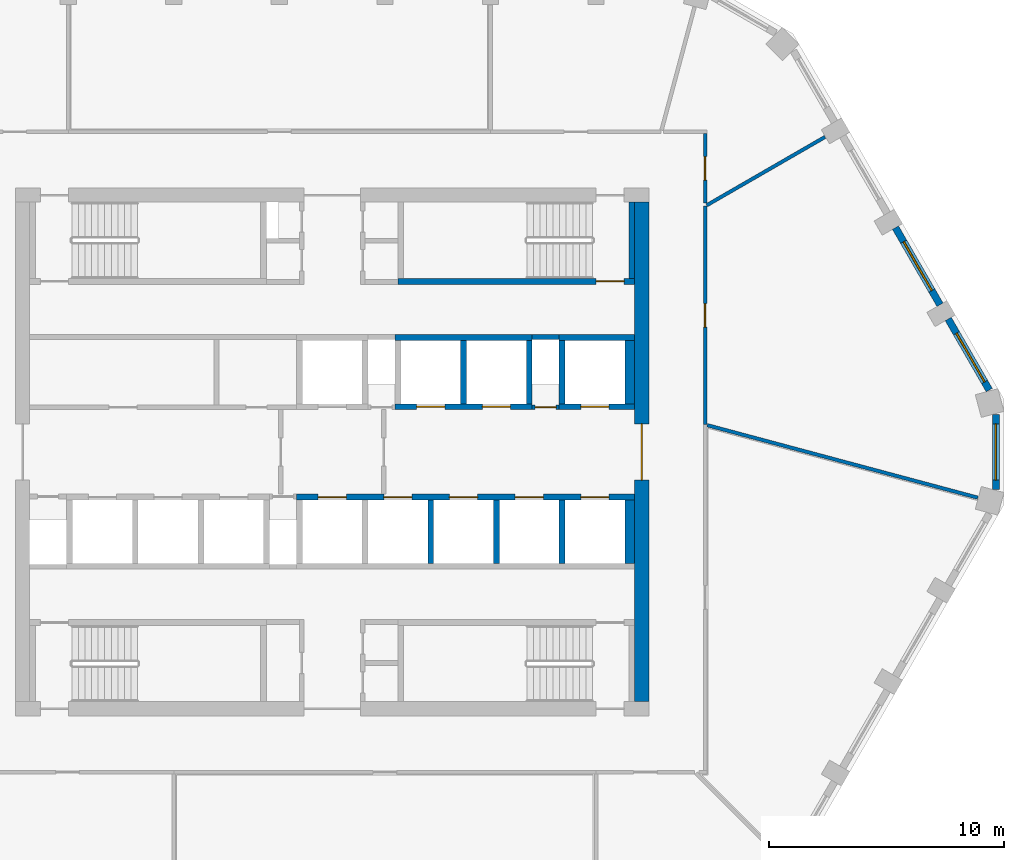
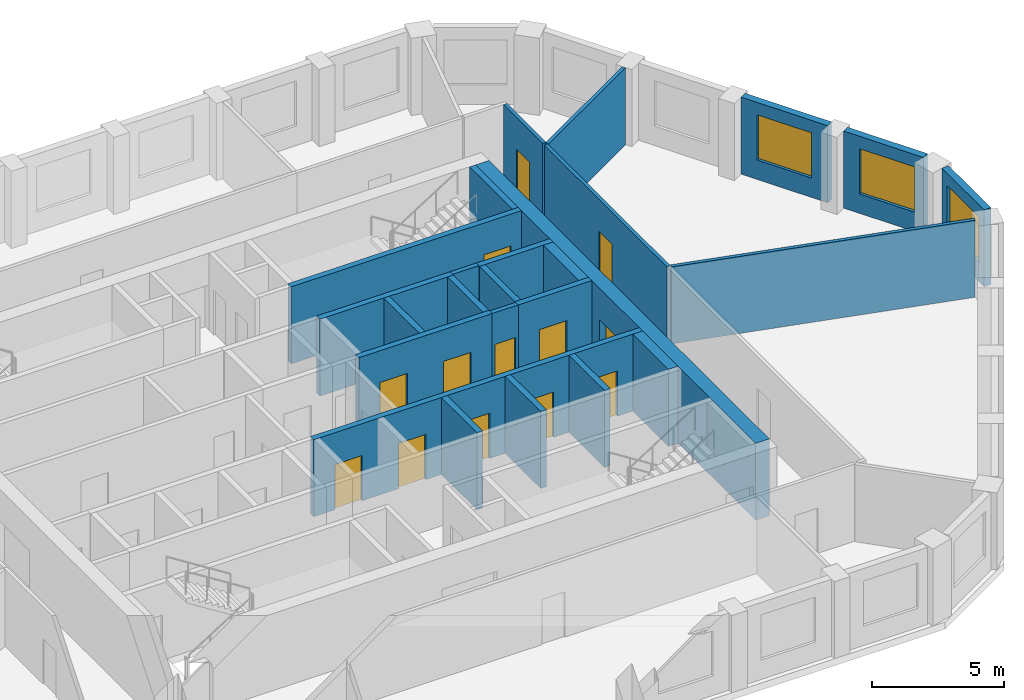
# One storey, part 5 of 10: 25 walls, 13 doors, 3 windows, 16 openings.
"""IFC4 building model written with IfcOpenShell, lengths in metres."""

from ifc_helpers import new_model, si_unit, direction, frame, frame_2d, origin, place, context, subcontext, project, spatial, polyline, rectangle, outline, extrude, material, layer, layer_set, type_object, element, fill, save


model = new_model("IFC4")

# Units and contexts
model_context = context("Model", 3, precision=1e-05, world=origin(), true_north=direction((0.0, 1.0)))
body_context = subcontext(model_context, "Body", "Model", "MODEL_VIEW")
ifc_project = project(units=[si_unit("LENGTHUNIT", "METRE"), si_unit("AREAUNIT", "SQUARE_METRE"), si_unit("VOLUMEUNIT", "CUBIC_METRE"), si_unit("PLANEANGLEUNIT", "RADIAN"), si_unit("MASSUNIT", "GRAM", prefix="KILO")], contexts=[model_context])

# Site, building, storey
site_placement = place(None, origin())
site = spatial("IfcSite", under=ifc_project, at=site_placement, CompositionType="ELEMENT")
building_placement = place(site_placement, origin())
building = spatial("IfcBuilding", under=site, at=building_placement, Name="Dhurran Vertical Campus", CompositionType="ELEMENT")
storey_placement = place(building_placement, frame((0.0, 0.0, 239.10009765625)))
storey = spatial("IfcBuildingStorey", under=building, at=storey_placement, Name="L59", CompositionType="ELEMENT", Elevation=239.10009765625)

# Wall, opening, window
ifc_material_1 = material(Name="Precast concrete C50/60", Category="concrete")
ifc_layer_1 = layer(ifc_material_1, 0.300048828125)
ifc_layer_set_1 = layer_set([ifc_layer_1], Name="Precast concrete C50/60")
wall_type_1 = type_object("IfcWallType", Name="Precast spandrel wall 300", PredefinedType="SOLIDWALL", material=ifc_layer_set_1)
wall_1_placement = place(storey_placement, frame((28.297119140625, -1.59814453125, 0.0), z_axis=(0.0, 0.0, 1.0), x_axis=(0.0, 1.0, 0.0)))
wall_1 = element("IfcWall", 1, at=wall_1_placement, inside=storey, type_object=wall_type_1, Name="EW1 L59.12", PredefinedType="SOLIDWALL", context=body_context, shape_type="SweptSolid", body=[
    extrude(rectangle(XDim=3.1962890625, YDim=0.300048828125, at=frame_2d((1.59814453125, 0.0))), origin(), (0.0, 0.0, 1.0), 3.574951171875),
])
opening_1_placement = place(wall_1_placement, frame((0.398193359375, 0.0, 0.89990234375)))
opening_1 = element("IfcOpeningElement", 2, at=opening_1_placement, cuts=wall_1, Name="Opening WT1", PredefinedType="OPENING", context=body_context, shape_type="SweptSolid", body=[
    extrude(rectangle(XDim=2.39990234375, YDim=2.10009765625, at=frame_2d((1.199951171875, 1.050048828125))), frame((0.0, 0.159912109375, 0.0), z_axis=(0.0, -1.0, 0.0), x_axis=(1.0, 0.0, 0.0)), (0.0, 0.0, 1.0), 0.320068359375),
])
ifc_material_2 = material(Name="Aluminium frame with solar-control glass", Category="aluminium")
window_type = type_object("IfcWindowType", Name="Punched window 2400 x 2100", PartitioningType="SINGLE_PANEL", PredefinedType="WINDOW", material=ifc_material_2)
window_1_placement = place(opening_1_placement, origin())
window_1 = element("IfcWindow", 3, at=window_1_placement, inside=storey, type_object=window_type, Name="WT1 L59.12", OverallHeight=2.10009765625, OverallWidth=2.39990234375, PartitioningType="SINGLE_PANEL", PredefinedType="WINDOW", context=body_context, shape_type="SweptSolid", body=[
    extrude(rectangle(XDim=2.39990234375, YDim=2.10009765625, at=frame_2d((1.199951171875, 1.050048828125))), frame((0.0, 0.030029296875, 0.0), z_axis=(0.0, -1.0, 0.0), x_axis=(1.0, 0.0, 0.0)), (0.0, 0.0, 1.0), 0.06005859375),
])
fill(opening_1, window_1)

wall_2_placement = place(storey_placement, frame((28.01806640625, 2.6396484375, 0.0), z_axis=(0.0, 0.0, 1.0), x_axis=(-0.499990325971, 0.866030989016, 0.0)))
wall_2 = element("IfcWall", 4, at=wall_2_placement, inside=storey, type_object=wall_type_1, Name="EW1 L59.13", PredefinedType="SOLIDWALL", context=body_context, shape_type="SweptSolid", body=[
    extrude(rectangle(XDim=3.49755859375, YDim=0.300048828125, at=frame_2d((1.748779296875, 0.0))), origin(), (0.0, 0.0, 1.0), 3.574951171875),
])
opening_2_placement = place(wall_2_placement, frame((0.398193359375, 0.0, 0.89990234375)))
opening_2 = element("IfcOpeningElement", 5, at=opening_2_placement, cuts=wall_2, Name="Opening WT1", PredefinedType="OPENING", context=body_context, shape_type="SweptSolid", body=[
    extrude(rectangle(XDim=2.39990234375, YDim=2.10009765625, at=frame_2d((1.199951171875, 1.050048828125))), frame((0.0, 0.159912109375, 0.0), z_axis=(0.0, -1.0, 0.0), x_axis=(1.0, 0.0, 0.0)), (0.0, 0.0, 1.0), 0.320068359375),
])
window_2_placement = place(opening_2_placement, origin())
window_2 = element("IfcWindow", 6, at=window_2_placement, inside=storey, type_object=window_type, Name="WT1 L59.13", OverallHeight=2.10009765625, OverallWidth=2.39990234375, PartitioningType="SINGLE_PANEL", PredefinedType="WINDOW", context=body_context, shape_type="SweptSolid", body=[
    extrude(rectangle(XDim=2.39990234375, YDim=2.10009765625, at=frame_2d((1.199951171875, 1.050048828125))), frame((0.0, 0.030029296875, 0.0), z_axis=(0.0, -1.0, 0.0), x_axis=(1.0, 0.0, 0.0)), (0.0, 0.0, 1.0), 0.06005859375),
])
fill(opening_2, window_2)

wall_3_placement = place(storey_placement, frame((25.918701171875, 6.275634765625, 0.0), z_axis=(0.0, 0.0, 1.0), x_axis=(-0.499982058975, 0.866035761792, 0.0)))
wall_3 = element("IfcWall", 7, at=wall_3_placement, inside=storey, type_object=wall_type_1, Name="EW1 L59.14", PredefinedType="SOLIDWALL", context=body_context, shape_type="SweptSolid", body=[
    extrude(rectangle(XDim=3.799072265625, YDim=0.300048828125, at=frame_2d((1.8994140625, 0.0))), origin(), (0.0, 0.0, 1.0), 3.574951171875),
])
opening_3_placement = place(wall_3_placement, frame((0.699462890625, 0.0, 0.89990234375)))
opening_3 = element("IfcOpeningElement", 8, at=opening_3_placement, cuts=wall_3, Name="Opening WT1", PredefinedType="OPENING", context=body_context, shape_type="SweptSolid", body=[
    extrude(rectangle(XDim=2.39990234375, YDim=2.10009765625, at=frame_2d((1.199951171875, 1.050048828125))), frame((0.0, 0.159912109375, 0.0), z_axis=(0.0, -1.0, 0.0), x_axis=(1.0, 0.0, 0.0)), (0.0, 0.0, 1.0), 0.320068359375),
])
window_3_placement = place(opening_3_placement, origin())
window_3 = element("IfcWindow", 9, at=window_3_placement, inside=storey, type_object=window_type, Name="WT1 L59.14", OverallHeight=2.10009765625, OverallWidth=2.39990234375, PartitioningType="SINGLE_PANEL", PredefinedType="WINDOW", context=body_context, shape_type="SweptSolid", body=[
    extrude(rectangle(XDim=2.39990234375, YDim=2.10009765625, at=frame_2d((1.199951171875, 1.050048828125))), frame((0.0, 0.030029296875, 0.0), z_axis=(0.0, -1.0, 0.0), x_axis=(1.0, 0.0, 0.0)), (0.0, 0.0, 1.0), 0.06005859375),
])
fill(opening_3, window_3)

# Wall, opening, door
ifc_material_3 = material(Name="Concrete C50/60", Category="concrete")
ifc_layer_2 = layer(ifc_material_3, 0.60009765625)
ifc_layer_set_2 = layer_set([ifc_layer_2], Name="Concrete C50/60")
wall_type_2 = type_object("IfcWallType", Name="co-CORE-WALL-C2-600", PredefinedType="SHEAR", material=ifc_layer_set_2)
wall_4_placement = place(storey_placement, frame((13.199951171875, -10.64990234375, 0.0), z_axis=(0.0, 0.0, 1.0), x_axis=(0.0, 1.0, 0.0)))
wall_4 = element("IfcWall", 10, at=wall_4_placement, inside=storey, type_object=wall_type_2, Name="Core wall E L59", PredefinedType="SHEAR", context=body_context, shape_type="SweptSolid", body=[
    extrude(rectangle(XDim=21.2998046875, YDim=0.60009765625, at=frame_2d((10.64990234375, 0.0))), origin(), (0.0, 0.0, 1.0), 3.574951171875),
])
opening_4_placement = place(wall_4_placement, frame((9.449951171875, 0.0, 0.0)))
opening_4 = element("IfcOpeningElement", 11, at=opening_4_placement, cuts=wall_4, Name="Opening CL2", PredefinedType="OPENING", context=body_context, shape_type="SweptSolid", body=[
    extrude(rectangle(XDim=2.39990234375, YDim=2.10009765625, at=frame_2d((1.199951171875, 1.050048828125))), frame((0.0, 0.31005859375, 0.0), z_axis=(0.0, -1.0, 0.0), x_axis=(1.0, 0.0, 0.0)), (0.0, 0.0, 1.0), 0.6201171875),
])
ifc_material_4 = material(Name="Fire-rated glazed door set")
door_type_1 = type_object("IfcDoorType", Name="co-D-LOBBY 2400x2100", OperationType="DOUBLE_DOOR_DOUBLE_SWING", PredefinedType="DOOR", material=ifc_material_4)
door_1_placement = place(opening_4_placement, origin())
door_1 = element("IfcDoor", 12, at=door_1_placement, inside=storey, type_object=door_type_1, Name="Lift lobby door E L59", OperationType="DOUBLE_DOOR_DOUBLE_SWING", OverallHeight=2.10009765625, OverallWidth=2.39990234375, PredefinedType="DOOR", context=body_context, shape_type="SweptSolid", body=[
    extrude(rectangle(XDim=2.39990234375, YDim=2.10009765625, at=frame_2d((1.199951171875, 1.050048828125))), frame((0.0, 0.02490234375, 0.0), z_axis=(0.0, -1.0, 0.0), x_axis=(1.0, 0.0, 0.0)), (0.0, 0.0, 1.0), 0.050048828125),
])
fill(opening_4, door_1)

ifc_material_5 = material(Name="Fire-rated masonry blockwork", Category="masonry")
ifc_layer_3 = layer(ifc_material_5, 0.199951171875)
ifc_layer_set_3 = layer_set([ifc_layer_3], Name="Fire-rated masonry blockwork")
wall_type_3 = type_object("IfcWallType", Name="co-FIRE-PARTITION-200", PredefinedType="PARTITIONING", material=ifc_layer_set_3)
wall_5_placement = place(storey_placement, frame((8.52490234375, 1.89990234375, 0.0), z_axis=(0.0, 0.0, 1.0), x_axis=(1.0, 0.0, 0.0)))
wall_5 = element("IfcWall", 13, at=wall_5_placement, inside=storey, type_object=wall_type_3, Name="Core partition fr-N2-f L59", PredefinedType="PARTITIONING", context=body_context, shape_type="SweptSolid", body=[
    extrude(rectangle(XDim=1.150146484375, YDim=0.199951171875, at=frame_2d((0.5751953125, 0.0))), origin(), (0.0, 0.0, 1.0), 3.574951171875),
])
opening_5_placement = place(wall_5_placement, frame((0.125, 0.0, 0.0)))
opening_5 = element("IfcOpeningElement", 14, at=opening_5_placement, cuts=wall_5, Name="Opening T17-C11", PredefinedType="OPENING", context=body_context, shape_type="SweptSolid", body=[
    extrude(rectangle(XDim=0.89990234375, YDim=2.10009765625, at=frame_2d((0.449951171875, 1.050048828125))), frame((0.0, 0.10986328125, 0.0), z_axis=(0.0, -1.0, 0.0), x_axis=(1.0, 0.0, 0.0)), (0.0, 0.0, 1.0), 0.219970703125),
])
ifc_material_6 = material(Name="Fire-rated timber door set", Category="wood")
door_type_2 = type_object("IfcDoorType", Name="co-D-ROOM 900x2100", OperationType="SINGLE_SWING_LEFT", PredefinedType="DOOR", material=ifc_material_6)
door_2_placement = place(opening_5_placement, origin())
door_2 = element("IfcDoor", 15, at=door_2_placement, inside=storey, type_object=door_type_2, Name="Water riser door L59", OperationType="SINGLE_SWING_LEFT", OverallHeight=2.10009765625, OverallWidth=0.89990234375, PredefinedType="DOOR", context=body_context, shape_type="SweptSolid", body=[
    extrude(rectangle(XDim=0.89990234375, YDim=2.10009765625, at=frame_2d((0.449951171875, 1.050048828125))), frame((0.0, 0.02490234375, 0.0), z_axis=(0.0, -1.0, 0.0), x_axis=(1.0, 0.0, 0.0)), (0.0, 0.0, 1.0), 0.050048828125),
])
fill(opening_5, door_2)

# Wall
wall_6_placement = place(storey_placement, frame((8.52490234375, 4.89990234375, 0.0), z_axis=(0.0, 0.0, 1.0), x_axis=(1.0, 0.0, 0.0)))
element("IfcWall", 16, at=wall_6_placement, inside=storey, type_object=wall_type_3, Name="Core partition fr-N2-b L59", PredefinedType="PARTITIONING", context=body_context, shape_type="SweptSolid", body=[
    extrude(rectangle(XDim=1.150146484375, YDim=0.199951171875, at=frame_2d((0.5751953125, 0.0))), origin(), (0.0, 0.0, 1.0), 3.574951171875),
])

# Wall, openings, doors
ifc_material_7 = material(Name="Concrete C50/60", Category="concrete")
ifc_layer_4 = layer(ifc_material_7, 0.25)
ifc_layer_set_4 = layer_set([ifc_layer_4], Name="Concrete C50/60")
wall_type_4 = type_object("IfcWallType", Name="co-SHAFT-FRONT-250", PredefinedType="SHEAR", material=ifc_layer_set_4)
wall_7_placement = place(storey_placement, frame((2.675048828125, 1.925048828125, 0.0), z_axis=(0.0, 0.0, 1.0), x_axis=(1.0, 0.0, 0.0)))
wall_7 = element("IfcWall", 17, at=wall_7_placement, inside=storey, type_object=wall_type_4, Name="Lift landing wall N L59", PredefinedType="SHEAR", context=body_context, shape_type="SweptSolid", body=[
    extrude(rectangle(XDim=5.849853515625, YDim=0.25, at=frame_2d((2.9248046875, 0.0))), origin(), (0.0, 0.0, 1.0), 3.574951171875),
])
opening_6_placement = place(wall_7_placement, frame((0.925048828125, 0.0, 0.0)))
opening_6 = element("IfcOpeningElement", 18, at=opening_6_placement, cuts=wall_7, Name="Opening LD", PredefinedType="OPENING", context=body_context, shape_type="SweptSolid", body=[
    extrude(rectangle(XDim=1.199951171875, YDim=2.10009765625, at=frame_2d((0.60009765625, 1.050048828125))), frame((0.0, 0.135009765625, 0.0), z_axis=(0.0, -1.0, 0.0), x_axis=(1.0, 0.0, 0.0)), (0.0, 0.0, 1.0), 0.27001953125),
])
opening_7_placement = place(wall_7_placement, frame((3.72509765625, 0.0, 0.0)))
opening_7 = element("IfcOpeningElement", 19, at=opening_7_placement, cuts=wall_7, Name="Opening LD", PredefinedType="OPENING", context=body_context, shape_type="SweptSolid", body=[
    extrude(rectangle(XDim=1.199951171875, YDim=2.10009765625, at=frame_2d((0.60009765625, 1.050048828125))), frame((0.0, 0.135009765625, 0.0), z_axis=(0.0, -1.0, 0.0), x_axis=(1.0, 0.0, 0.0)), (0.0, 0.0, 1.0), 0.27001953125),
])
ifc_material_8 = material(Name="Stainless steel landing door", Category="steel")
door_type_3 = type_object("IfcDoorType", Name="co-D-LANDING 1200x2100", OperationType="DOUBLE_DOOR_SLIDING", PredefinedType="DOOR", material=ifc_material_8)
door_3_placement = place(opening_6_placement, origin())
door_3 = element("IfcDoor", 20, at=door_3_placement, inside=storey, type_object=door_type_3, Name="Landing door HR1 L59", OperationType="DOUBLE_DOOR_SLIDING", OverallHeight=2.10009765625, OverallWidth=1.199951171875, PredefinedType="DOOR", context=body_context, shape_type="SweptSolid", body=[
    extrude(rectangle(XDim=1.199951171875, YDim=2.10009765625, at=frame_2d((0.60009765625, 1.050048828125))), frame((0.0, 0.02490234375, 0.0), z_axis=(0.0, -1.0, 0.0), x_axis=(1.0, 0.0, 0.0)), (0.0, 0.0, 1.0), 0.050048828125),
])
fill(opening_6, door_3)
door_4_placement = place(opening_7_placement, origin())
door_4 = element("IfcDoor", 21, at=door_4_placement, inside=storey, type_object=door_type_3, Name="Landing door HR2 L59", OperationType="DOUBLE_DOOR_SLIDING", OverallHeight=2.10009765625, OverallWidth=1.199951171875, PredefinedType="DOOR", context=body_context, shape_type="SweptSolid", body=[
    extrude(rectangle(XDim=1.199951171875, YDim=2.10009765625, at=frame_2d((0.60009765625, 1.050048828125))), frame((0.0, 0.02490234375, 0.0), z_axis=(0.0, -1.0, 0.0), x_axis=(1.0, 0.0, 0.0)), (0.0, 0.0, 1.0), 0.050048828125),
])
fill(opening_7, door_4)

# Wall, opening, door
wall_8_placement = place(storey_placement, frame((9.675048828125, 1.925048828125, 0.0), z_axis=(0.0, 0.0, 1.0), x_axis=(1.0, 0.0, 0.0)))
wall_8 = element("IfcWall", 22, at=wall_8_placement, inside=storey, type_object=wall_type_4, Name="Lift landing wall N L59", PredefinedType="SHEAR", context=body_context, shape_type="SweptSolid", body=[
    extrude(rectangle(XDim=3.224853515625, YDim=0.25, at=frame_2d((1.6123046875, 0.0))), origin(), (0.0, 0.0, 1.0), 3.574951171875),
])
opening_8_placement = place(wall_8_placement, frame((0.925048828125, 0.0, 0.0)))
opening_8 = element("IfcOpeningElement", 23, at=opening_8_placement, cuts=wall_8, Name="Opening LD", PredefinedType="OPENING", context=body_context, shape_type="SweptSolid", body=[
    extrude(rectangle(XDim=1.199951171875, YDim=2.10009765625, at=frame_2d((0.60009765625, 1.050048828125))), frame((0.0, 0.135009765625, 0.0), z_axis=(0.0, -1.0, 0.0), x_axis=(1.0, 0.0, 0.0)), (0.0, 0.0, 1.0), 0.27001953125),
])
door_5_placement = place(opening_8_placement, origin())
door_5 = element("IfcDoor", 24, at=door_5_placement, inside=storey, type_object=door_type_3, Name="Landing door SV2 L59", OperationType="DOUBLE_DOOR_SLIDING", OverallHeight=2.10009765625, OverallWidth=1.199951171875, PredefinedType="DOOR", context=body_context, shape_type="SweptSolid", body=[
    extrude(rectangle(XDim=1.199951171875, YDim=2.10009765625, at=frame_2d((0.60009765625, 1.050048828125))), frame((0.0, 0.02490234375, 0.0), z_axis=(0.0, -1.0, 0.0), x_axis=(1.0, 0.0, 0.0)), (0.0, 0.0, 1.0), 0.050048828125),
])
fill(opening_8, door_5)

# Wall, openings, doors
wall_9_placement = place(storey_placement, frame((-1.52490234375, -1.925048828125, 0.0), z_axis=(0.0, 0.0, 1.0), x_axis=(1.0, 0.0, 0.0)))
wall_9 = element("IfcWall", 25, at=wall_9_placement, inside=storey, type_object=wall_type_4, Name="Lift landing wall S L59", PredefinedType="SHEAR", context=body_context, shape_type="SweptSolid", body=[
    extrude(rectangle(XDim=14.4248046875, YDim=0.25, at=frame_2d((7.21240234375, 0.0))), origin(), (0.0, 0.0, 1.0), 3.574951171875),
])
opening_9_placement = place(wall_9_placement, frame((0.925048828125, 0.0, 0.0)))
opening_9 = element("IfcOpeningElement", 26, at=opening_9_placement, cuts=wall_9, Name="Opening LD", PredefinedType="OPENING", context=body_context, shape_type="SweptSolid", body=[
    extrude(rectangle(XDim=1.199951171875, YDim=2.10009765625, at=frame_2d((0.60009765625, 1.050048828125))), frame((0.0, 0.135009765625, 0.0), z_axis=(0.0, -1.0, 0.0), x_axis=(1.0, 0.0, 0.0)), (0.0, 0.0, 1.0), 0.27001953125),
])
opening_10_placement = place(wall_9_placement, frame((3.72509765625, 0.0, 0.0)))
opening_10 = element("IfcOpeningElement", 27, at=opening_10_placement, cuts=wall_9, Name="Opening LD", PredefinedType="OPENING", context=body_context, shape_type="SweptSolid", body=[
    extrude(rectangle(XDim=1.199951171875, YDim=2.10009765625, at=frame_2d((0.60009765625, 1.050048828125))), frame((0.0, 0.135009765625, 0.0), z_axis=(0.0, -1.0, 0.0), x_axis=(1.0, 0.0, 0.0)), (0.0, 0.0, 1.0), 0.27001953125),
])
opening_11_placement = place(wall_9_placement, frame((6.52490234375, 0.0, 0.0)))
opening_11 = element("IfcOpeningElement", 28, at=opening_11_placement, cuts=wall_9, Name="Opening LD", PredefinedType="OPENING", context=body_context, shape_type="SweptSolid", body=[
    extrude(rectangle(XDim=1.199951171875, YDim=2.10009765625, at=frame_2d((0.60009765625, 1.050048828125))), frame((0.0, 0.135009765625, 0.0), z_axis=(0.0, -1.0, 0.0), x_axis=(1.0, 0.0, 0.0)), (0.0, 0.0, 1.0), 0.27001953125),
])
opening_12_placement = place(wall_9_placement, frame((9.324951171875, 0.0, 0.0)))
opening_12 = element("IfcOpeningElement", 29, at=opening_12_placement, cuts=wall_9, Name="Opening LD", PredefinedType="OPENING", context=body_context, shape_type="SweptSolid", body=[
    extrude(rectangle(XDim=1.199951171875, YDim=2.10009765625, at=frame_2d((0.60009765625, 1.050048828125))), frame((0.0, 0.135009765625, 0.0), z_axis=(0.0, -1.0, 0.0), x_axis=(1.0, 0.0, 0.0)), (0.0, 0.0, 1.0), 0.27001953125),
])
opening_13_placement = place(wall_9_placement, frame((12.125, 0.0, 0.0)))
opening_13 = element("IfcOpeningElement", 30, at=opening_13_placement, cuts=wall_9, Name="Opening LD", PredefinedType="OPENING", context=body_context, shape_type="SweptSolid", body=[
    extrude(rectangle(XDim=1.199951171875, YDim=2.10009765625, at=frame_2d((0.60009765625, 1.050048828125))), frame((0.0, 0.135009765625, 0.0), z_axis=(0.0, -1.0, 0.0), x_axis=(1.0, 0.0, 0.0)), (0.0, 0.0, 1.0), 0.27001953125),
])
door_6_placement = place(opening_9_placement, origin())
door_6 = element("IfcDoor", 31, at=door_6_placement, inside=storey, type_object=door_type_3, Name="Landing door FF2 L59", OperationType="DOUBLE_DOOR_SLIDING", OverallHeight=2.10009765625, OverallWidth=1.199951171875, PredefinedType="DOOR", context=body_context, shape_type="SweptSolid", body=[
    extrude(rectangle(XDim=1.199951171875, YDim=2.10009765625, at=frame_2d((0.60009765625, 1.050048828125))), frame((0.0, 0.02490234375, 0.0), z_axis=(0.0, -1.0, 0.0), x_axis=(1.0, 0.0, 0.0)), (0.0, 0.0, 1.0), 0.050048828125),
])
fill(opening_9, door_6)
door_7_placement = place(opening_10_placement, origin())
door_7 = element("IfcDoor", 32, at=door_7_placement, inside=storey, type_object=door_type_3, Name="Landing door SV1 L59", OperationType="DOUBLE_DOOR_SLIDING", OverallHeight=2.10009765625, OverallWidth=1.199951171875, PredefinedType="DOOR", context=body_context, shape_type="SweptSolid", body=[
    extrude(rectangle(XDim=1.199951171875, YDim=2.10009765625, at=frame_2d((0.60009765625, 1.050048828125))), frame((0.0, 0.02490234375, 0.0), z_axis=(0.0, -1.0, 0.0), x_axis=(1.0, 0.0, 0.0)), (0.0, 0.0, 1.0), 0.050048828125),
])
fill(opening_10, door_7)
door_8_placement = place(opening_11_placement, origin())
door_8 = element("IfcDoor", 33, at=door_8_placement, inside=storey, type_object=door_type_3, Name="Landing door SB1 L59", OperationType="DOUBLE_DOOR_SLIDING", OverallHeight=2.10009765625, OverallWidth=1.199951171875, PredefinedType="DOOR", context=body_context, shape_type="SweptSolid", body=[
    extrude(rectangle(XDim=1.199951171875, YDim=2.10009765625, at=frame_2d((0.60009765625, 1.050048828125))), frame((0.0, 0.02490234375, 0.0), z_axis=(0.0, -1.0, 0.0), x_axis=(1.0, 0.0, 0.0)), (0.0, 0.0, 1.0), 0.050048828125),
])
fill(opening_11, door_8)
door_9_placement = place(opening_12_placement, origin())
door_9 = element("IfcDoor", 34, at=door_9_placement, inside=storey, type_object=door_type_3, Name="Landing door SB2 L59", OperationType="DOUBLE_DOOR_SLIDING", OverallHeight=2.10009765625, OverallWidth=1.199951171875, PredefinedType="DOOR", context=body_context, shape_type="SweptSolid", body=[
    extrude(rectangle(XDim=1.199951171875, YDim=2.10009765625, at=frame_2d((0.60009765625, 1.050048828125))), frame((0.0, 0.02490234375, 0.0), z_axis=(0.0, -1.0, 0.0), x_axis=(1.0, 0.0, 0.0)), (0.0, 0.0, 1.0), 0.050048828125),
])
fill(opening_12, door_9)
door_10_placement = place(opening_13_placement, origin())
door_10 = element("IfcDoor", 35, at=door_10_placement, inside=storey, type_object=door_type_3, Name="Landing door SB3 L59", OperationType="DOUBLE_DOOR_SLIDING", OverallHeight=2.10009765625, OverallWidth=1.199951171875, PredefinedType="DOOR", context=body_context, shape_type="SweptSolid", body=[
    extrude(rectangle(XDim=1.199951171875, YDim=2.10009765625, at=frame_2d((0.60009765625, 1.050048828125))), frame((0.0, 0.02490234375, 0.0), z_axis=(0.0, -1.0, 0.0), x_axis=(1.0, 0.0, 0.0)), (0.0, 0.0, 1.0), 0.050048828125),
])
fill(opening_13, door_10)

# Walls
ifc_material_9 = material(Name="Concrete C50/60", Category="concrete")
ifc_layer_5 = layer(ifc_material_9, 0.25)
ifc_layer_set_5 = layer_set([ifc_layer_5], Name="Concrete C50/60")
wall_type_5 = type_object("IfcWallType", Name="co-SHAFT-MASS-250", PredefinedType="SHEAR", material=ifc_layer_set_5)
wall_10_placement = place(storey_placement, origin())
element("IfcWall", 36, at=wall_10_placement, inside=storey, type_object=wall_type_5, Name="Lift shaft wall N L59 2", PredefinedType="SHEAR", context=body_context, shape_type="SweptSolid", body=[
    extrude(outline(polyline([(2.675048828125, 4.75), (8.52490234375, 4.75), (8.52490234375, 5.0), (2.675048828125, 5.0), (2.675048828125, 4.75)])), origin(), (0.0, 0.0, 1.0), 3.574951171875),
])
wall_11_placement = place(storey_placement, origin())
element("IfcWall", 37, at=wall_11_placement, inside=storey, type_object=wall_type_5, Name="Lift shaft wall N L59 3", PredefinedType="SHEAR", context=body_context, shape_type="SweptSolid", body=[
    extrude(outline(polyline([(9.675048828125, 4.75), (12.89990234375, 4.75), (12.89990234375, 5.0), (9.675048828125, 5.0), (9.675048828125, 4.75)])), origin(), (0.0, 0.0, 1.0), 3.574951171875),
])
wall_12_placement = place(storey_placement, origin())
element("IfcWall", 38, at=wall_12_placement, inside=storey, type_object=wall_type_5, Name="Lift shaft wall N L59 7", PredefinedType="SHEAR", context=body_context, shape_type="SweptSolid", body=[
    extrude(outline(polyline([(5.47509765625, 2.050048828125), (5.72509765625, 2.050048828125), (5.72509765625, 4.75), (5.47509765625, 4.75), (5.47509765625, 2.050048828125)])), origin(), (0.0, 0.0, 1.0), 3.574951171875),
])
wall_13_placement = place(storey_placement, origin())
element("IfcWall", 39, at=wall_13_placement, inside=storey, type_object=wall_type_5, Name="Lift shaft wall N L59 8", PredefinedType="SHEAR", context=body_context, shape_type="SweptSolid", body=[
    extrude(outline(polyline([(8.27490234375, 2.050048828125), (8.52490234375, 2.050048828125), (8.52490234375, 4.75), (8.27490234375, 4.75), (8.27490234375, 2.050048828125)])), origin(), (0.0, 0.0, 1.0), 3.574951171875),
])
wall_14_placement = place(storey_placement, origin())
element("IfcWall", 40, at=wall_14_placement, inside=storey, type_object=wall_type_5, Name="Lift shaft wall N L59 9", PredefinedType="SHEAR", context=body_context, shape_type="SweptSolid", body=[
    extrude(outline(polyline([(9.675048828125, 2.050048828125), (9.925048828125, 2.050048828125), (9.925048828125, 4.75), (9.675048828125, 4.75), (9.675048828125, 2.050048828125)])), origin(), (0.0, 0.0, 1.0), 3.574951171875),
])
wall_15_placement = place(storey_placement, origin())
element("IfcWall", 41, at=wall_15_placement, inside=storey, type_object=wall_type_5, Name="Lift shaft wall N L59 10", PredefinedType="SHEAR", context=body_context, shape_type="SweptSolid", body=[
    extrude(outline(polyline([(12.47509765625, 2.050048828125), (12.89990234375, 2.050048828125), (12.89990234375, 4.75), (12.47509765625, 4.75), (12.47509765625, 2.050048828125)])), origin(), (0.0, 0.0, 1.0), 3.574951171875),
])
wall_16_placement = place(storey_placement, origin())
element("IfcWall", 42, at=wall_16_placement, inside=storey, type_object=wall_type_5, Name="Lift shaft wall S L59 9", PredefinedType="SHEAR", context=body_context, shape_type="SweptSolid", body=[
    extrude(outline(polyline([(4.074951171875, -4.75), (4.324951171875, -4.75), (4.324951171875, -2.050048828125), (4.074951171875, -2.050048828125), (4.074951171875, -4.75)])), origin(), (0.0, 0.0, 1.0), 3.574951171875),
])
wall_17_placement = place(storey_placement, origin())
element("IfcWall", 43, at=wall_17_placement, inside=storey, type_object=wall_type_5, Name="Lift shaft wall S L59 10", PredefinedType="SHEAR", context=body_context, shape_type="SweptSolid", body=[
    extrude(outline(polyline([(6.875, -4.75), (7.125, -4.75), (7.125, -2.050048828125), (6.875, -2.050048828125), (6.875, -4.75)])), origin(), (0.0, 0.0, 1.0), 3.574951171875),
])
wall_18_placement = place(storey_placement, origin())
element("IfcWall", 44, at=wall_18_placement, inside=storey, type_object=wall_type_5, Name="Lift shaft wall S L59 11", PredefinedType="SHEAR", context=body_context, shape_type="SweptSolid", body=[
    extrude(outline(polyline([(9.675048828125, -4.75), (9.925048828125, -4.75), (9.925048828125, -2.050048828125), (9.675048828125, -2.050048828125), (9.675048828125, -4.75)])), origin(), (0.0, 0.0, 1.0), 3.574951171875),
])
wall_19_placement = place(storey_placement, origin())
element("IfcWall", 45, at=wall_19_placement, inside=storey, type_object=wall_type_5, Name="Lift shaft wall S L59 12", PredefinedType="SHEAR", context=body_context, shape_type="SweptSolid", body=[
    extrude(outline(polyline([(12.47509765625, -4.75), (12.89990234375, -4.75), (12.89990234375, -2.050048828125), (12.47509765625, -2.050048828125), (12.47509765625, -4.75)])), origin(), (0.0, 0.0, 1.0), 3.574951171875),
])

# Wall, opening, door
ifc_material_10 = material(Name="Concrete C40/50", Category="concrete")
ifc_layer_6 = layer(ifc_material_10, 0.25)
ifc_layer_set_6 = layer_set([ifc_layer_6], Name="Concrete C40/50")
wall_type_6 = type_object("IfcWallType", Name="co-STAIR-WALL-250", PredefinedType="SHEAR", material=ifc_layer_set_6)
wall_20_placement = place(storey_placement, frame((2.800048828125, 7.27490234375, 0.0), z_axis=(0.0, 0.0, 1.0), x_axis=(1.0, 0.0, 0.0)))
wall_20 = element("IfcWall", 46, at=wall_20_placement, inside=storey, type_object=wall_type_6, Name="Stair ST2 enclosure wall L59", PredefinedType="SHEAR", context=body_context, shape_type="SweptSolid", body=[
    extrude(rectangle(XDim=10.099853515625, YDim=0.25, at=frame_2d((5.0498046875, 0.0))), origin(), (0.0, 0.0, 1.0), 3.574951171875),
])
opening_14_placement = place(wall_20_placement, frame((8.449951171875, 0.0, 0.0)))
opening_14 = element("IfcOpeningElement", 47, at=opening_14_placement, cuts=wall_20, Name="Opening SD2", PredefinedType="OPENING", context=body_context, shape_type="SweptSolid", body=[
    extrude(rectangle(XDim=1.199951171875, YDim=2.10009765625, at=frame_2d((0.60009765625, 1.050048828125))), frame((0.0, 0.135009765625, 0.0), z_axis=(0.0, -1.0, 0.0), x_axis=(1.0, 0.0, 0.0)), (0.0, 0.0, 1.0), 0.27001953125),
])
ifc_material_11 = material(Name="Fire-rated steel door set", Category="steel")
door_type_4 = type_object("IfcDoorType", Name="co-D-STAIR 1200x2100", OperationType="SINGLE_SWING_LEFT", PredefinedType="DOOR", material=ifc_material_11)
door_11_placement = place(opening_14_placement, origin())
door_11 = element("IfcDoor", 48, at=door_11_placement, inside=storey, type_object=door_type_4, Name="Stair ST2 door L59", OperationType="SINGLE_SWING_LEFT", OverallHeight=2.10009765625, OverallWidth=1.199951171875, PredefinedType="DOOR", context=body_context, shape_type="SweptSolid", body=[
    extrude(rectangle(XDim=1.199951171875, YDim=2.10009765625, at=frame_2d((0.60009765625, 1.050048828125))), frame((0.0, 0.02490234375, 0.0), z_axis=(0.0, -1.0, 0.0), x_axis=(1.0, 0.0, 0.0)), (0.0, 0.0, 1.0), 0.050048828125),
])
fill(opening_14, door_11)

# Wall
wall_21_placement = place(storey_placement, frame((12.77490234375, 7.39990234375, 0.0), z_axis=(0.0, 0.0, 1.0), x_axis=(0.0, 1.0, 0.0)))
element("IfcWall", 49, at=wall_21_placement, inside=storey, type_object=wall_type_6, Name="Stair ST2 enclosure wall L59", PredefinedType="SHEAR", context=body_context, shape_type="SweptSolid", body=[
    extrude(rectangle(XDim=3.25, YDim=0.25, at=frame_2d((1.625, 0.0))), origin(), (0.0, 0.0, 1.0), 3.574951171875),
])

# Wall, opening, door
ifc_material_12 = material(Name="Gypsum board corridor wall on steel studs", Category="steel")
ifc_layer_7 = layer(ifc_material_12, 0.14990234375)
ifc_layer_set_7 = layer_set([ifc_layer_7], Name="Gypsum board corridor wall on steel studs")
wall_type_7 = type_object("IfcWallType", Name="fl-CW-150 corridor wall", PredefinedType="PARTITIONING", material=ifc_layer_set_7)
wall_22_placement = place(storey_placement, frame((15.89990234375, 1.166015625, 0.0), z_axis=(0.0, 0.0, 1.0), x_axis=(0.0, 1.0, 0.0)))
wall_22 = element("IfcWall", 50, at=wall_22_placement, inside=storey, type_object=wall_type_7, Name="Partition 59-34", PredefinedType="PARTITIONING", context=body_context, shape_type="SweptSolid", body=[
    extrude(rectangle(XDim=9.31298828125, YDim=0.14990234375, at=frame_2d((4.656494140625, 0.0))), origin(), (0.0, 0.0, 1.0), 3.574951171875),
])
opening_15_placement = place(wall_22_placement, frame((4.156494140625, 0.0, 0.0)))
opening_15 = element("IfcOpeningElement", 51, at=opening_15_placement, cuts=wall_22, Name="Opening T17.14", PredefinedType="OPENING", context=body_context, shape_type="SweptSolid", body=[
    extrude(rectangle(XDim=1.0, YDim=2.10009765625, at=frame_2d((0.5, 1.050048828125))), frame((0.0, 0.0849609375, 0.0), z_axis=(0.0, -1.0, 0.0), x_axis=(1.0, 0.0, 0.0)), (0.0, 0.0, 1.0), 0.169921875),
])
ifc_material_13 = material(Name="Solid-core timber door set, fire-rated", Category="wood")
door_type_5 = type_object("IfcDoorType", Name="fl-D-1000x2100", OperationType="SINGLE_SWING_LEFT", PredefinedType="DOOR", material=ifc_material_13)
door_12_placement = place(opening_15_placement, origin())
door_12 = element("IfcDoor", 52, at=door_12_placement, inside=storey, type_object=door_type_5, Name="Door 59.14", OperationType="SINGLE_SWING_LEFT", OverallHeight=2.10009765625, OverallWidth=1.0, PredefinedType="DOOR", context=body_context, shape_type="SweptSolid", body=[
    extrude(rectangle(XDim=1.0, YDim=2.10009765625, at=frame_2d((0.5, 1.050048828125))), frame((0.0, 0.02490234375, 0.0), z_axis=(0.0, -1.0, 0.0), x_axis=(1.0, 0.0, 0.0)), (0.0, 0.0, 1.0), 0.050048828125),
])
fill(opening_15, door_12)

wall_23_placement = place(storey_placement, frame((15.89990234375, 10.60888671875, 0.0), z_axis=(0.0, 0.0, 1.0), x_axis=(0.0, 1.0, 0.0)))
wall_23 = element("IfcWall", 53, at=wall_23_placement, inside=storey, type_object=wall_type_7, Name="Partition 59-36", PredefinedType="PARTITIONING", context=body_context, shape_type="SweptSolid", body=[
    extrude(rectangle(XDim=2.966064453125, YDim=0.14990234375, at=frame_2d((1.48291015625, 0.0))), origin(), (0.0, 0.0, 1.0), 3.574951171875),
])
opening_16_placement = place(wall_23_placement, frame((0.98291015625, 0.0, 0.0)))
opening_16 = element("IfcOpeningElement", 54, at=opening_16_placement, cuts=wall_23, Name="Opening T17.12", PredefinedType="OPENING", context=body_context, shape_type="SweptSolid", body=[
    extrude(rectangle(XDim=1.0, YDim=2.10009765625, at=frame_2d((0.5, 1.050048828125))), frame((0.0, 0.0849609375, 0.0), z_axis=(0.0, -1.0, 0.0), x_axis=(1.0, 0.0, 0.0)), (0.0, 0.0, 1.0), 0.169921875),
])
door_13_placement = place(opening_16_placement, origin())
door_13 = element("IfcDoor", 55, at=door_13_placement, inside=storey, type_object=door_type_5, Name="Door 59.12", OperationType="SINGLE_SWING_RIGHT", OverallHeight=2.10009765625, OverallWidth=1.0, PredefinedType="DOOR", context=body_context, shape_type="SweptSolid", body=[
    extrude(rectangle(XDim=1.0, YDim=2.10009765625, at=frame_2d((0.5, 1.050048828125))), frame((0.0, 0.02490234375, 0.0), z_axis=(0.0, -1.0, 0.0), x_axis=(1.0, 0.0, 0.0)), (0.0, 0.0, 1.0), 0.050048828125),
])
fill(opening_16, door_13)

# Walls
ifc_material_14 = material(Name="Gypsum board partition on steel studs", Category="steel")
ifc_layer_8 = layer(ifc_material_14, 0.14990234375)
ifc_layer_set_8 = layer_set([ifc_layer_8], Name="Gypsum board partition on steel studs")
wall_type_8 = type_object("IfcWallType", Name="fl-PW-150 fixed partition", PredefinedType="PARTITIONING", material=ifc_layer_set_8)
wall_24_placement = place(storey_placement, frame((15.99169921875, 1.141357421875, 0.0), z_axis=(0.0, 0.0, 1.0), x_axis=(0.965910286237, -0.258877034405, 0.0)))
element("IfcWall", 56, at=wall_24_placement, inside=storey, type_object=wall_type_8, Name="Partition 59-35", PredefinedType="PARTITIONING", context=body_context, shape_type="SweptSolid", body=[
    extrude(rectangle(XDim=11.94775390625, YDim=0.14990234375, at=frame_2d((5.973876953125, 0.0))), origin(), (0.0, 0.0, 1.0), 3.574951171875),
])
wall_25_placement = place(storey_placement, frame((21.013916015625, 13.43115234375, 0.0), z_axis=(0.0, 0.0, 1.0), x_axis=(-0.866054481515, -0.499949632511, 0.0)))
element("IfcWall", 57, at=wall_25_placement, inside=storey, type_object=wall_type_8, Name="Partition 59-37", PredefinedType="PARTITIONING", context=body_context, shape_type="SweptSolid", body=[
    extrude(rectangle(XDim=5.82958984375, YDim=0.14990234375, at=frame_2d((2.914794921875, 0.0))), origin(), (0.0, 0.0, 1.0), 3.574951171875),
])

save(model, "model.ifc")
